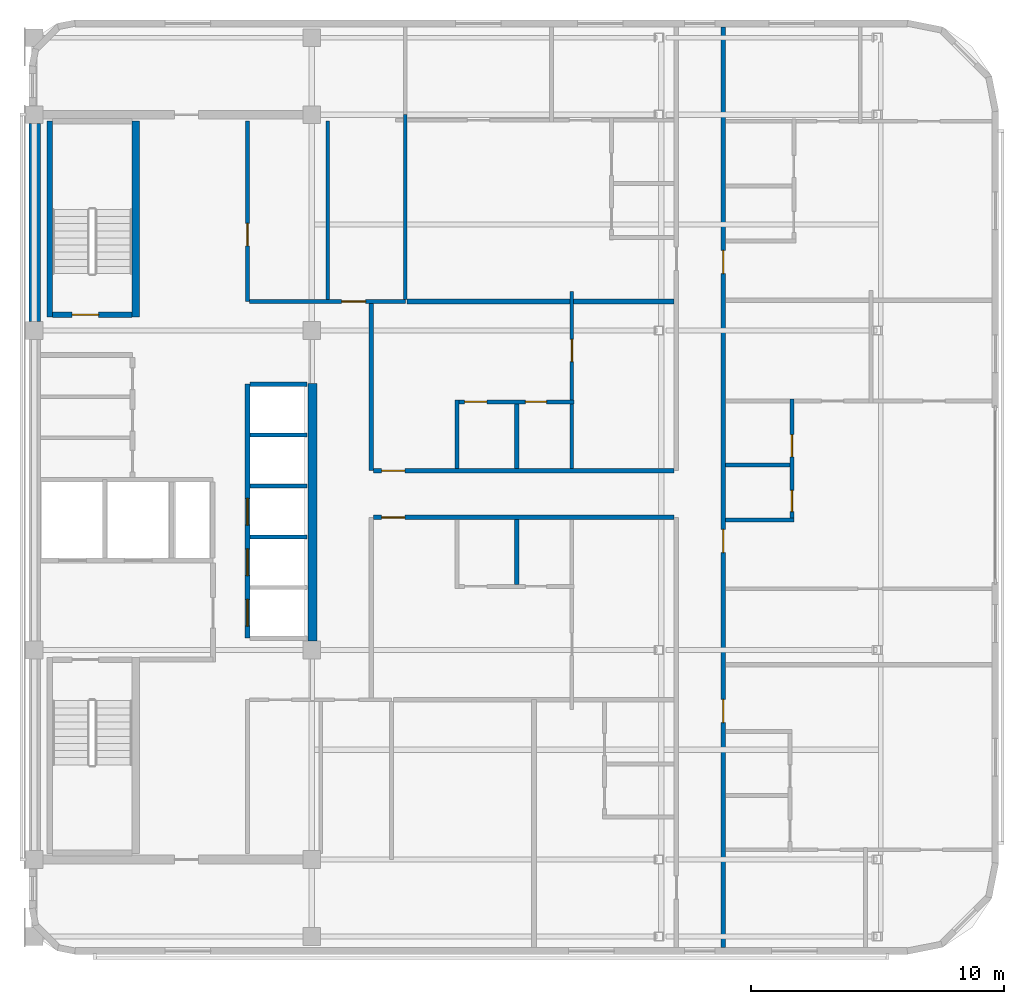
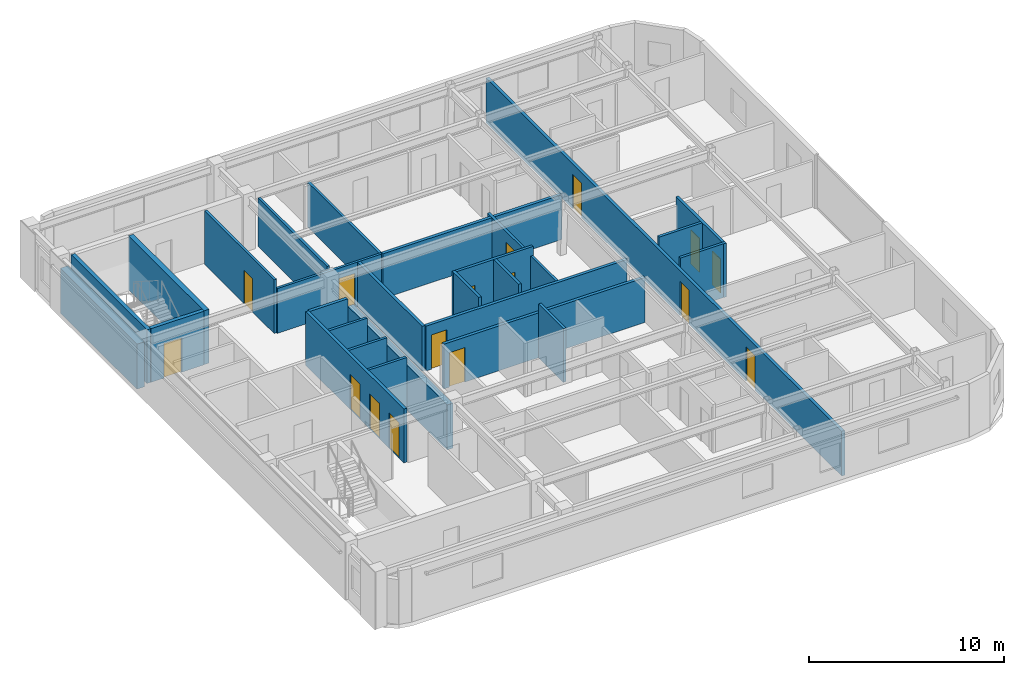
# One storey, part 5 of 10: 27 walls, 16 doors, 16 openings.
"""IFC4 building model written with IfcOpenShell, lengths in metres."""

from ifc_helpers import new_model, si_unit, direction, frame, frame_2d, origin, place, context, subcontext, project, spatial, rectangle, extrude, material, layer, layer_set, type_object, element, fill, save


model = new_model("IFC4")

# Units and contexts
model_context = context("Model", 3, precision=1e-05, world=origin(), true_north=direction((0.0, 1.0)))
body_context = subcontext(model_context, "Body", "Model", "MODEL_VIEW")
ifc_project = project(units=[si_unit("LENGTHUNIT", "METRE"), si_unit("AREAUNIT", "SQUARE_METRE"), si_unit("VOLUMEUNIT", "CUBIC_METRE"), si_unit("PLANEANGLEUNIT", "RADIAN"), si_unit("MASSUNIT", "GRAM", prefix="KILO")], contexts=[model_context])

# Site, building, storey
site_placement = place(None, origin())
site = spatial("IfcSite", under=ifc_project, at=site_placement, CompositionType="ELEMENT")
building_placement = place(site_placement, origin())
building = spatial("IfcBuilding", under=site, at=building_placement, Name="Ochreholt Gables", CompositionType="ELEMENT")
storey_placement = place(building_placement, frame((0.0, 0.0, 256.800048828125)))
storey = spatial("IfcBuildingStorey", under=building, at=storey_placement, Name="L67", CompositionType="ELEMENT", Elevation=256.800048828125)

# Walls
ifc_material_1 = material(Name="Concrete 50 MPa", Category="concrete")
ifc_layer_1 = layer(ifc_material_1, 0.35009765625, Name="Concrete 50 MPa")
ifc_layer_set_1 = layer_set([ifc_layer_1], Name="Concrete 50 MPa")
wall_type_1 = type_object("IfcWallType", Name="WALL-CSW-350", PredefinedType="SHEAR", material=ifc_layer_set_1)
wall_1_placement = place(storey_placement, frame((35.22509765625, 17.89990234375, 0.0), z_axis=(0.0, 0.0, 1.0), x_axis=(0.0, 1.0, 0.0)))
element("IfcWall", 1, at=wall_1_placement, inside=storey, type_object=wall_type_1, Name="L67 Core Central-East Shear Wall", PredefinedType="SHEAR", context=body_context, shape_type="SweptSolid", body=[
    extrude(rectangle(XDim=10.2001953125, YDim=0.35009765625, at=frame_2d((5.10009765625, 0.0))), origin(), (0.0, 0.0, 1.0), 2.821044921875),
])
ifc_layer_2 = layer(ifc_material_1, 0.449951171875, Name="Concrete 50 MPa")
ifc_layer_set_2 = layer_set([ifc_layer_2], Name="Concrete 50 MPa")
wall_type_2 = type_object("IfcWallType", Name="WALL-CSW-EXT", PredefinedType="SHEAR", material=ifc_layer_set_2)
wall_2_placement = place(storey_placement, frame((24.22509765625, 30.550048828125, 0.0), z_axis=(0.0, 0.0, 1.0), x_axis=(0.0, 1.0, 0.0)))
element("IfcWall", 2, at=wall_2_placement, inside=storey, type_object=wall_type_2, Name="L67 Core West Shear Wall WN", PredefinedType="SHEAR", context=body_context, shape_type="SweptSolid", body=[
    extrude(rectangle(XDim=7.849853515625, YDim=0.449951171875, at=frame_2d((3.9248046875, 0.0))), origin(), (0.0, 0.0, 1.0), 2.821044921875),
])
ifc_material_2 = material(Name="Fire-Rated Gypsum Acoustic Partition", Category="gypsum")
ifc_layer_3 = layer(ifc_material_2, 0.179931640625, Name="Fire-Rated Gypsum Acoustic Partition")
ifc_layer_set_3 = layer_set([ifc_layer_3], Name="Fire-Rated Gypsum Acoustic Partition")
wall_type_3 = type_object("IfcWallType", Name="WALL-INT-CR180", PredefinedType="STANDARD", material=ifc_layer_set_3)
wall_3_placement = place(storey_placement, frame((37.550048828125, 24.64990234375, 0.0), z_axis=(0.0, 0.0, 1.0), x_axis=(0.0, 1.0, 0.0)))
element("IfcWall", 3, at=wall_3_placement, inside=storey, type_object=wall_type_3, Name="L67 Interior Wall WI-C3CE2-L67", PredefinedType="STANDARD", context=body_context, shape_type="SweptSolid", body=[
    extrude(rectangle(XDim=6.627685546875, YDim=0.179931640625, at=frame_2d((3.31396484375, 0.0))), origin(), (0.0, 0.0, 1.0), 2.802978515625),
])

# Wall, opening, door
wall_4_placement = place(storey_placement, frame((37.639892578125, 22.800048828125, 0.0), z_axis=(0.0, 0.0, 1.0), x_axis=(1.0, 0.0, 0.0)))
wall_4 = element("IfcWall", 4, at=wall_4_placement, inside=storey, type_object=wall_type_3, Name="L67 Interior Wall WI-C3BRS1-L67", PredefinedType="STANDARD", context=body_context, shape_type="SweptSolid", body=[
    extrude(rectangle(XDim=11.9072265625, YDim=0.179931640625, at=frame_2d((5.95361328125, 0.0))), origin(), (0.0, 0.0, 1.0), 2.802978515625),
])
opening_1_placement = place(wall_4_placement, frame((0.320068359375, 0.0, 0.0)))
opening_1 = element("IfcOpeningElement", 5, at=opening_1_placement, cuts=wall_4, Name="Opening D-UN1", PredefinedType="OPENING", context=body_context, shape_type="SweptSolid", body=[
    extrude(rectangle(XDim=0.919921875, YDim=2.14990234375, at=frame_2d((0.4599609375, 1.074951171875))), frame((0.0, 0.099853515625, 0.0), z_axis=(0.0, -1.0, 0.0), x_axis=(1.0, 0.0, 0.0)), (0.0, 0.0, 1.0), 0.199951171875),
])
ifc_material_3 = material(Name="Engineered Oak Timber", Category="wood")
door_type_1 = type_object("IfcDoorType", Name="DR-INT-UNT920", OperationType="NOTDEFINED", PredefinedType="DOOR", material=ifc_material_3)
door_1_placement = place(opening_1_placement, origin())
door_1 = element("IfcDoor", 6, at=door_1_placement, inside=storey, type_object=door_type_1, Name="L67 Door D-U-L67SM2-ENT", OperationType="SINGLE_SWING_LEFT", OverallHeight=2.14990234375, OverallWidth=0.919921875, PredefinedType="DOOR", context=body_context, shape_type="SweptSolid", body=[
    extrude(rectangle(XDim=0.919921875, YDim=2.14990234375, at=frame_2d((0.4599609375, 1.074951171875))), frame((0.0, 0.02490234375, 0.0), z_axis=(0.0, -1.0, 0.0), x_axis=(1.0, 0.0, 0.0)), (0.0, 0.0, 1.0), 0.050048828125),
])
fill(opening_1, door_1)

wall_5_placement = place(storey_placement, frame((37.639892578125, 24.64990234375, 0.0), z_axis=(0.0, 0.0, 1.0), x_axis=(1.0, 0.0, 0.0)))
wall_5 = element("IfcWall", 7, at=wall_5_placement, inside=storey, type_object=wall_type_3, Name="L67 Interior Wall WI-C3BRN1-L67", PredefinedType="STANDARD", context=body_context, shape_type="SweptSolid", body=[
    extrude(rectangle(XDim=11.9072265625, YDim=0.179931640625, at=frame_2d((5.95361328125, 0.0))), origin(), (0.0, 0.0, 1.0), 2.802978515625),
])
opening_2_placement = place(wall_5_placement, frame((0.320068359375, 0.0, 0.0)))
opening_2 = element("IfcOpeningElement", 8, at=opening_2_placement, cuts=wall_5, Name="Opening D-UN1", PredefinedType="OPENING", context=body_context, shape_type="SweptSolid", body=[
    extrude(rectangle(XDim=0.919921875, YDim=2.14990234375, at=frame_2d((0.4599609375, 1.074951171875))), frame((0.0, 0.099853515625, 0.0), z_axis=(0.0, -1.0, 0.0), x_axis=(1.0, 0.0, 0.0)), (0.0, 0.0, 1.0), 0.199951171875),
])
door_2_placement = place(opening_2_placement, origin())
door_2 = element("IfcDoor", 9, at=door_2_placement, inside=storey, type_object=door_type_1, Name="L67 Door D-U-L67NM1-ENT", OperationType="SINGLE_SWING_LEFT", OverallHeight=2.14990234375, OverallWidth=0.919921875, PredefinedType="DOOR", context=body_context, shape_type="SweptSolid", body=[
    extrude(rectangle(XDim=0.919921875, YDim=2.14990234375, at=frame_2d((0.4599609375, 1.074951171875))), frame((0.0, 0.02490234375, 0.0), z_axis=(0.0, -1.0, 0.0), x_axis=(1.0, 0.0, 0.0)), (0.0, 0.0, 1.0), 0.050048828125),
])
fill(opening_2, door_2)

# Wall, openings, doors
wall_6_placement = place(storey_placement, frame((51.487060546875, 5.77001953125, 0.0), z_axis=(0.0, 0.0, 1.0), x_axis=(0.0, 1.0, 0.0)))
wall_6 = element("IfcWall", 10, at=wall_6_placement, inside=storey, type_object=wall_type_3, Name="L67 Interior Wall WI-C3GE-L67", PredefinedType="STANDARD", context=body_context, shape_type="SweptSolid", body=[
    extrude(rectangle(XDim=36.4599609375, YDim=0.179931640625, at=frame_2d((18.22998046875, 0.0))), origin(), (0.0, 0.0, 1.0), 2.802978515625),
])
opening_3_placement = place(wall_6_placement, frame((8.907470703125, 0.0, 0.0)))
opening_3 = element("IfcOpeningElement", 11, at=opening_3_placement, cuts=wall_6, Name="Opening D-UN1", PredefinedType="OPENING", context=body_context, shape_type="SweptSolid", body=[
    extrude(rectangle(XDim=0.919921875, YDim=2.14990234375, at=frame_2d((0.4599609375, 1.074951171875))), frame((0.0, 0.099853515625, 0.0), z_axis=(0.0, -1.0, 0.0), x_axis=(1.0, 0.0, 0.0)), (0.0, 0.0, 1.0), 0.199951171875),
])
opening_4_placement = place(wall_6_placement, frame((15.633056640625, 0.0, 0.0)))
opening_4 = element("IfcOpeningElement", 12, at=opening_4_placement, cuts=wall_6, Name="Opening D-UN1", PredefinedType="OPENING", context=body_context, shape_type="SweptSolid", body=[
    extrude(rectangle(XDim=0.919921875, YDim=2.14990234375, at=frame_2d((0.4599609375, 1.074951171875))), frame((0.0, 0.099853515625, 0.0), z_axis=(0.0, -1.0, 0.0), x_axis=(1.0, 0.0, 0.0)), (0.0, 0.0, 1.0), 0.199951171875),
])
opening_5_placement = place(wall_6_placement, frame((26.68505859375, 0.0, 0.0)))
opening_5 = element("IfcOpeningElement", 13, at=opening_5_placement, cuts=wall_6, Name="Opening D-UN1", PredefinedType="OPENING", context=body_context, shape_type="SweptSolid", body=[
    extrude(rectangle(XDim=0.919921875, YDim=2.14990234375, at=frame_2d((0.4599609375, 1.074951171875))), frame((0.0, 0.099853515625, 0.0), z_axis=(0.0, -1.0, 0.0), x_axis=(1.0, 0.0, 0.0)), (0.0, 0.0, 1.0), 0.199951171875),
])
door_3_placement = place(opening_3_placement, origin())
door_3 = element("IfcDoor", 14, at=door_3_placement, inside=storey, type_object=door_type_1, Name="L67 Door D-U-L67E1-ENT", OperationType="SINGLE_SWING_RIGHT", OverallHeight=2.14990234375, OverallWidth=0.919921875, PredefinedType="DOOR", context=body_context, shape_type="SweptSolid", body=[
    extrude(rectangle(XDim=0.919921875, YDim=2.14990234375, at=frame_2d((0.4599609375, 1.074951171875))), frame((0.0, 0.02490234375, 0.0), z_axis=(0.0, -1.0, 0.0), x_axis=(1.0, 0.0, 0.0)), (0.0, 0.0, 1.0), 0.050048828125),
])
fill(opening_3, door_3)
door_4_placement = place(opening_4_placement, origin())
door_4 = element("IfcDoor", 15, at=door_4_placement, inside=storey, type_object=door_type_1, Name="L67 Door D-U-L67E2-ENT", OperationType="SINGLE_SWING_LEFT", OverallHeight=2.14990234375, OverallWidth=0.919921875, PredefinedType="DOOR", context=body_context, shape_type="SweptSolid", body=[
    extrude(rectangle(XDim=0.919921875, YDim=2.14990234375, at=frame_2d((0.4599609375, 1.074951171875))), frame((0.0, 0.02490234375, 0.0), z_axis=(0.0, -1.0, 0.0), x_axis=(1.0, 0.0, 0.0)), (0.0, 0.0, 1.0), 0.050048828125),
])
fill(opening_4, door_4)
door_5_placement = place(opening_5_placement, origin())
door_5 = element("IfcDoor", 16, at=door_5_placement, inside=storey, type_object=door_type_1, Name="L67 Door D-U-L67E3-ENT", OperationType="SINGLE_SWING_RIGHT", OverallHeight=2.14990234375, OverallWidth=0.919921875, PredefinedType="DOOR", context=body_context, shape_type="SweptSolid", body=[
    extrude(rectangle(XDim=0.919921875, YDim=2.14990234375, at=frame_2d((0.4599609375, 1.074951171875))), frame((0.0, 0.02490234375, 0.0), z_axis=(0.0, -1.0, 0.0), x_axis=(1.0, 0.0, 0.0)), (0.0, 0.0, 1.0), 0.050048828125),
])
fill(opening_5, door_5)

# Walls
ifc_material_4 = material(Name="Double-Stud Acoustic Demising Wall", Category="gypsum")
ifc_layer_4 = layer(ifc_material_4, 0.18505859375, Name="Double-Stud Acoustic Demising Wall")
ifc_layer_set_4 = layer_set([ifc_layer_4], Name="Double-Stud Acoustic Demising Wall")
wall_type_4 = type_object("IfcWallType", Name="WALL-INT-DM185", PredefinedType="PARTITIONING", material=ifc_layer_set_4)
wall_7_placement = place(storey_placement, frame((38.972412109375, 31.35009765625, 0.0), z_axis=(0.0, 0.0, 1.0), x_axis=(1.0, 0.0, 0.0)))
element("IfcWall", 17, at=wall_7_placement, inside=storey, type_object=wall_type_4, Name="L67 Interior Wall WI-C3NMY-L67", PredefinedType="PARTITIONING", context=body_context, shape_type="SweptSolid", body=[
    extrude(rectangle(XDim=10.57470703125, YDim=0.18505859375, at=frame_2d((5.287353515625, 0.0))), origin(), (0.0, 0.0, 1.0), 2.802978515625),
])
ifc_material_5 = material(Name="Moisture-Resistant Plumbing Chase Wall", Category="gypsum")
ifc_layer_5 = layer(ifc_material_5, 0.159912109375, Name="Moisture-Resistant Plumbing Chase Wall")
ifc_layer_set_5 = layer_set([ifc_layer_5], Name="Moisture-Resistant Plumbing Chase Wall")
wall_type_5 = type_object("IfcWallType", Name="WALL-INT-PL160", PredefinedType="PLUMBINGWALL", material=ifc_layer_set_5)
wall_8_placement = place(storey_placement, frame((51.576904296875, 22.702880859375, 0.0), z_axis=(0.0, 0.0, 1.0), x_axis=(1.0, 0.0, 0.0)))
element("IfcWall", 18, at=wall_8_placement, inside=storey, type_object=wall_type_5, Name="L67 Interior Wall WU-L67E2-FYS", PredefinedType="PLUMBINGWALL", context=body_context, shape_type="SweptSolid", body=[
    extrude(rectangle(XDim=2.712158203125, YDim=0.159912109375, at=frame_2d((1.35595703125, 0.0))), origin(), (0.0, 0.0, 1.0), 3.35986328125),
])

# Wall, openings, doors
wall_9_placement = place(storey_placement, frame((54.208984375, 22.613037109375, 0.0), z_axis=(0.0, 0.0, 1.0), x_axis=(0.0, 1.0, 0.0)))
wall_9 = element("IfcWall", 19, at=wall_9_placement, inside=storey, type_object=wall_type_5, Name="L67 Interior Wall WU-L67E2-WX", PredefinedType="PLUMBINGWALL", context=body_context, shape_type="SweptSolid", body=[
    extrude(rectangle(XDim=4.886962890625, YDim=0.159912109375, at=frame_2d((2.443359375, 0.0))), origin(), (0.0, 0.0, 1.0), 3.35986328125),
])
opening_6_placement = place(wall_9_placement, frame((0.419921875, 0.0, 0.0)))
opening_6 = element("IfcOpeningElement", 20, at=opening_6_placement, cuts=wall_9, Name="Opening D-BT2", PredefinedType="OPENING", context=body_context, shape_type="SweptSolid", body=[
    extrude(rectangle(XDim=0.840087890625, YDim=2.1201171875, at=frame_2d((0.419921875, 1.06005859375))), frame((0.0, 0.08984375, 0.0), z_axis=(0.0, -1.0, 0.0), x_axis=(1.0, 0.0, 0.0)), (0.0, 0.0, 1.0), 0.179931640625),
])
opening_7_placement = place(wall_9_placement, frame((2.585205078125, 0.0, 0.0)))
opening_7 = element("IfcOpeningElement", 21, at=opening_7_placement, cuts=wall_9, Name="Opening D-GN2", PredefinedType="OPENING", context=body_context, shape_type="SweptSolid", body=[
    extrude(rectangle(XDim=0.8798828125, YDim=2.1201171875, at=frame_2d((0.43994140625, 1.06005859375))), frame((0.0, 0.08984375, 0.0), z_axis=(0.0, -1.0, 0.0), x_axis=(1.0, 0.0, 0.0)), (0.0, 0.0, 1.0), 0.179931640625),
])
door_type_2 = type_object("IfcDoorType", Name="DR-INT-BTH840", OperationType="NOTDEFINED", PredefinedType="DOOR", material=ifc_material_3)
door_6_placement = place(opening_6_placement, origin())
door_6 = element("IfcDoor", 22, at=door_6_placement, inside=storey, type_object=door_type_2, Name="L67 Door D-U-L67E2-BTH", OperationType="SINGLE_SWING_RIGHT", OverallHeight=2.1201171875, OverallWidth=0.840087890625, PredefinedType="DOOR", context=body_context, shape_type="SweptSolid", body=[
    extrude(rectangle(XDim=0.840087890625, YDim=2.1201171875, at=frame_2d((0.419921875, 1.06005859375))), frame((0.0, 0.02490234375, 0.0), z_axis=(0.0, -1.0, 0.0), x_axis=(1.0, 0.0, 0.0)), (0.0, 0.0, 1.0), 0.050048828125),
])
fill(opening_6, door_6)
door_type_3 = type_object("IfcDoorType", Name="DR-INT-GEN880", OperationType="NOTDEFINED", PredefinedType="DOOR", material=ifc_material_3)
door_7_placement = place(opening_7_placement, origin())
door_7 = element("IfcDoor", 23, at=door_7_placement, inside=storey, type_object=door_type_3, Name="L67 Door D-U-L67E2-KIT", OperationType="SINGLE_SWING_LEFT", OverallHeight=2.1201171875, OverallWidth=0.8798828125, PredefinedType="DOOR", context=body_context, shape_type="SweptSolid", body=[
    extrude(rectangle(XDim=0.8798828125, YDim=2.1201171875, at=frame_2d((0.43994140625, 1.06005859375))), frame((0.0, 0.02490234375, 0.0), z_axis=(0.0, -1.0, 0.0), x_axis=(1.0, 0.0, 0.0)), (0.0, 0.0, 1.0), 0.050048828125),
])
fill(opening_7, door_7)

# Walls
wall_10_placement = place(storey_placement, frame((51.576904296875, 24.8681640625, 0.0), z_axis=(0.0, 0.0, 1.0), x_axis=(1.0, 0.0, 0.0)))
element("IfcWall", 24, at=wall_10_placement, inside=storey, type_object=wall_type_5, Name="L67 Interior Wall WU-L67E2-WK", PredefinedType="PLUMBINGWALL", context=body_context, shape_type="SweptSolid", body=[
    extrude(rectangle(XDim=2.552001953125, YDim=0.159912109375, at=frame_2d((1.27587890625, 0.0))), origin(), (0.0, 0.0, 1.0), 3.35986328125),
])
wall_11_placement = place(storey_placement, frame((43.31298828125, 20.14990234375, 0.0), z_axis=(0.0, 0.0, 1.0), x_axis=(0.0, 1.0, 0.0)))
element("IfcWall", 25, at=wall_11_placement, inside=storey, type_object=wall_type_5, Name="L67 Interior Wall WU-L67SM2-WK", PredefinedType="PLUMBINGWALL", context=body_context, shape_type="SweptSolid", body=[
    extrude(rectangle(XDim=2.56005859375, YDim=0.159912109375, at=frame_2d((1.280029296875, 0.0))), origin(), (0.0, 0.0, 1.0), 3.35986328125),
])

# Wall, openings, doors
wall_12_placement = place(storey_placement, frame((40.866943359375, 27.3798828125, 0.0), z_axis=(0.0, 0.0, 1.0), x_axis=(1.0, 0.0, 0.0)))
wall_12 = element("IfcWall", 26, at=wall_12_placement, inside=storey, type_object=wall_type_5, Name="L67 Interior Wall WU-L67NM1-WY", PredefinedType="PLUMBINGWALL", context=body_context, shape_type="SweptSolid", body=[
    extrude(rectangle(XDim=4.7099609375, YDim=0.159912109375, at=frame_2d((2.35498046875, 0.0))), origin(), (0.0, 0.0, 1.0), 3.35986328125),
])
opening_8_placement = place(wall_12_placement, frame((0.3798828125, 0.0, 0.0)))
opening_8 = element("IfcOpeningElement", 27, at=opening_8_placement, cuts=wall_12, Name="Opening D-GN2", PredefinedType="OPENING", context=body_context, shape_type="SweptSolid", body=[
    extrude(rectangle(XDim=0.8798828125, YDim=2.1201171875, at=frame_2d((0.43994140625, 1.06005859375))), frame((0.0, 0.08984375, 0.0), z_axis=(0.0, -1.0, 0.0), x_axis=(1.0, 0.0, 0.0)), (0.0, 0.0, 1.0), 0.179931640625),
])
opening_9_placement = place(wall_12_placement, frame((2.785888671875, 0.0, 0.0)))
opening_9 = element("IfcOpeningElement", 28, at=opening_9_placement, cuts=wall_12, Name="Opening D-BT2", PredefinedType="OPENING", context=body_context, shape_type="SweptSolid", body=[
    extrude(rectangle(XDim=0.840087890625, YDim=2.1201171875, at=frame_2d((0.419921875, 1.06005859375))), frame((0.0, 0.08984375, 0.0), z_axis=(0.0, -1.0, 0.0), x_axis=(1.0, 0.0, 0.0)), (0.0, 0.0, 1.0), 0.179931640625),
])
door_8_placement = place(opening_9_placement, origin())
door_8 = element("IfcDoor", 29, at=door_8_placement, inside=storey, type_object=door_type_2, Name="L67 Door D-U-L67NM1-BTH", OperationType="SINGLE_SWING_LEFT", OverallHeight=2.1201171875, OverallWidth=0.840087890625, PredefinedType="DOOR", context=body_context, shape_type="SweptSolid", body=[
    extrude(rectangle(XDim=0.840087890625, YDim=2.1201171875, at=frame_2d((0.419921875, 1.06005859375))), frame((0.0, 0.02490234375, 0.0), z_axis=(0.0, -1.0, 0.0), x_axis=(1.0, 0.0, 0.0)), (0.0, 0.0, 1.0), 0.050048828125),
])
fill(opening_9, door_8)
door_9_placement = place(opening_8_placement, origin())
door_9 = element("IfcDoor", 30, at=door_9_placement, inside=storey, type_object=door_type_3, Name="L67 Door D-U-L67NM1-KIT", OperationType="SINGLE_SWING_RIGHT", OverallHeight=2.1201171875, OverallWidth=0.8798828125, PredefinedType="DOOR", context=body_context, shape_type="SweptSolid", body=[
    extrude(rectangle(XDim=0.8798828125, YDim=2.1201171875, at=frame_2d((0.43994140625, 1.06005859375))), frame((0.0, 0.02490234375, 0.0), z_axis=(0.0, -1.0, 0.0), x_axis=(1.0, 0.0, 0.0)), (0.0, 0.0, 1.0), 0.050048828125),
])
fill(opening_8, door_9)

# Walls
wall_13_placement = place(storey_placement, frame((40.947021484375, 24.739990234375, 0.0), z_axis=(0.0, 0.0, 1.0), x_axis=(0.0, 1.0, 0.0)))
element("IfcWall", 31, at=wall_13_placement, inside=storey, type_object=wall_type_5, Name="L67 Interior Wall WU-L67NM1-FY", PredefinedType="PLUMBINGWALL", context=body_context, shape_type="SweptSolid", body=[
    extrude(rectangle(XDim=2.719970703125, YDim=0.159912109375, at=frame_2d((1.35986328125, 0.0))), origin(), (0.0, 0.0, 1.0), 3.35986328125),
])
wall_14_placement = place(storey_placement, frame((43.31298828125, 24.739990234375, 0.0), z_axis=(0.0, 0.0, 1.0), x_axis=(0.0, 1.0, 0.0)))
element("IfcWall", 32, at=wall_14_placement, inside=storey, type_object=wall_type_5, Name="L67 Interior Wall WU-L67NM1-WK", PredefinedType="PLUMBINGWALL", context=body_context, shape_type="SweptSolid", body=[
    extrude(rectangle(XDim=2.56005859375, YDim=0.159912109375, at=frame_2d((1.280029296875, 0.0))), origin(), (0.0, 0.0, 1.0), 3.35986328125),
])

# Wall, opening, door
ifc_material_6 = material(Name="Lightweight Stud Partition", Category="gypsum")
ifc_layer_6 = layer(ifc_material_6, 0.14501953125, Name="Lightweight Stud Partition")
ifc_layer_set_6 = layer_set([ifc_layer_6], Name="Lightweight Stud Partition")
wall_type_6 = type_object("IfcWallType", Name="WALL-INT-PT145", PredefinedType="PARTITIONING", material=ifc_layer_set_6)
wall_15_placement = place(storey_placement, frame((32.64990234375, 31.35009765625, 0.0), z_axis=(0.0, 0.0, 1.0), x_axis=(0.0, 1.0, 0.0)))
wall_15 = element("IfcWall", 33, at=wall_15_placement, inside=storey, type_object=wall_type_6, Name="L67 Interior Wall WI-RCM-W-L67", PredefinedType="PARTITIONING", context=body_context, shape_type="SweptSolid", body=[
    extrude(rectangle(XDim=7.14990234375, YDim=0.14501953125, at=frame_2d((3.574951171875, 0.0))), origin(), (0.0, 0.0, 1.0), 3.35986328125),
])
opening_10_placement = place(wall_15_placement, frame((2.199951171875, 0.0, 0.0)))
opening_10 = element("IfcOpeningElement", 34, at=opening_10_placement, cuts=wall_15, Name="Opening D-SV1", PredefinedType="OPENING", context=body_context, shape_type="SweptSolid", body=[
    extrude(rectangle(XDim=0.89990234375, YDim=2.10009765625, at=frame_2d((0.449951171875, 1.050048828125))), frame((0.0, 0.08251953125, 0.0), z_axis=(0.0, -1.0, 0.0), x_axis=(1.0, 0.0, 0.0)), (0.0, 0.0, 1.0), 0.1650390625),
])
ifc_material_7 = material(Name="Hollow Metal Steel", Category="steel")
door_type_4 = type_object("IfcDoorType", Name="DR-INT-SRV900", OperationType="NOTDEFINED", PredefinedType="DOOR", material=ifc_material_7)
door_10_placement = place(opening_10_placement, origin())
door_10 = element("IfcDoor", 35, at=door_10_placement, inside=storey, type_object=door_type_4, Name="L67 Door D-RCM1-L67", OperationType="SINGLE_SWING_LEFT", OverallHeight=2.10009765625, OverallWidth=0.89990234375, PredefinedType="DOOR", context=body_context, shape_type="SweptSolid", body=[
    extrude(rectangle(XDim=0.89990234375, YDim=2.10009765625, at=frame_2d((0.449951171875, 1.050048828125))), frame((0.0, 0.02490234375, 0.0), z_axis=(0.0, -1.0, 0.0), x_axis=(1.0, 0.0, 0.0)), (0.0, 0.0, 1.0), 0.050048828125),
])
fill(opening_10, door_10)

wall_16_placement = place(storey_placement, frame((32.722412109375, 31.35009765625, 0.0), z_axis=(0.0, 0.0, 1.0), x_axis=(1.0, 0.0, 0.0)))
wall_16 = element("IfcWall", 36, at=wall_16_placement, inside=storey, type_object=wall_type_6, Name="L67 Interior Wall WI-RCM-S-L67", PredefinedType="PARTITIONING", context=body_context, shape_type="SweptSolid", body=[
    extrude(rectangle(XDim=6.177490234375, YDim=0.14501953125, at=frame_2d((3.0888671875, 0.0))), origin(), (0.0, 0.0, 1.0), 2.802978515625),
])
opening_11_placement = place(wall_16_placement, frame((3.652587890625, 0.0, 0.0)))
opening_11 = element("IfcOpeningElement", 37, at=opening_11_placement, cuts=wall_16, Name="Opening D-GN1", PredefinedType="OPENING", context=body_context, shape_type="SweptSolid", body=[
    extrude(rectangle(XDim=0.949951171875, YDim=2.14990234375, at=frame_2d((0.47509765625, 1.074951171875))), frame((0.0, 0.08251953125, 0.0), z_axis=(0.0, -1.0, 0.0), x_axis=(1.0, 0.0, 0.0)), (0.0, 0.0, 1.0), 0.1650390625),
])
door_type_5 = type_object("IfcDoorType", Name="DR-INT-GEN950", OperationType="NOTDEFINED", PredefinedType="DOOR", material=ifc_material_3)
door_11_placement = place(opening_11_placement, origin())
door_11 = element("IfcDoor", 38, at=door_11_placement, inside=storey, type_object=door_type_5, Name="L67 Door D-RCM2-L67", OperationType="SINGLE_SWING_RIGHT", OverallHeight=2.14990234375, OverallWidth=0.949951171875, PredefinedType="DOOR", context=body_context, shape_type="SweptSolid", body=[
    extrude(rectangle(XDim=0.949951171875, YDim=2.14990234375, at=frame_2d((0.47509765625, 1.074951171875))), frame((0.0, 0.02490234375, 0.0), z_axis=(0.0, -1.0, 0.0), x_axis=(1.0, 0.0, 0.0)), (0.0, 0.0, 1.0), 0.050048828125),
])
fill(opening_11, door_11)

# Walls
wall_17_placement = place(storey_placement, frame((38.89990234375, 31.422607421875, 0.0), z_axis=(0.0, 0.0, 1.0), x_axis=(0.0, 1.0, 0.0)))
element("IfcWall", 39, at=wall_17_placement, inside=storey, type_object=wall_type_6, Name="L67 Interior Wall WI-RCM-E-L67", PredefinedType="PARTITIONING", context=body_context, shape_type="SweptSolid", body=[
    extrude(rectangle(XDim=7.327392578125, YDim=0.14501953125, at=frame_2d((3.66357421875, 0.0))), origin(), (0.0, 0.0, 1.0), 2.802978515625),
])
wall_18_placement = place(storey_placement, frame((35.824951171875, 31.422607421875, 0.0), z_axis=(0.0, 0.0, 1.0), x_axis=(0.0, 1.0, 0.0)))
element("IfcWall", 40, at=wall_18_placement, inside=storey, type_object=wall_type_6, Name="L67 Interior Wall WI-RCM-DV-L67", PredefinedType="PARTITIONING", context=body_context, shape_type="SweptSolid", body=[
    extrude(rectangle(XDim=7.077392578125, YDim=0.14501953125, at=frame_2d((3.53857421875, 0.0))), origin(), (0.0, 0.0, 1.0), 3.0390625),
])

# Wall, opening, door
wall_19_placement = place(storey_placement, frame((45.4970703125, 24.739990234375, 0.0), z_axis=(0.0, 0.0, 1.0), x_axis=(0.0, 1.0, 0.0)))
wall_19 = element("IfcWall", 41, at=wall_19_placement, inside=storey, type_object=wall_type_6, Name="L67 Interior Wall WU-L67NM1-MNX", PredefinedType="PARTITIONING", context=body_context, shape_type="SweptSolid", body=[
    extrude(rectangle(XDim=7.0, YDim=0.14501953125, at=frame_2d((3.5, 0.0))), origin(), (0.0, 0.0, 1.0), 2.802978515625),
])
opening_12_placement = place(wall_19_placement, frame((4.22998046875, 0.0, 0.0)))
opening_12 = element("IfcOpeningElement", 42, at=opening_12_placement, cuts=wall_19, Name="Opening D-BD2", PredefinedType="OPENING", context=body_context, shape_type="SweptSolid", body=[
    extrude(rectangle(XDim=0.8798828125, YDim=2.139892578125, at=frame_2d((0.43994140625, 1.06982421875))), frame((0.0, 0.08251953125, 0.0), z_axis=(0.0, -1.0, 0.0), x_axis=(1.0, 0.0, 0.0)), (0.0, 0.0, 1.0), 0.1650390625),
])
door_type_6 = type_object("IfcDoorType", Name="DR-INT-BED880", OperationType="NOTDEFINED", PredefinedType="DOOR", material=ifc_material_3)
door_12_placement = place(opening_12_placement, origin())
door_12 = element("IfcDoor", 43, at=door_12_placement, inside=storey, type_object=door_type_6, Name="L67 Door D-U-L67NM1-BD1", OperationType="SINGLE_SWING_RIGHT", OverallHeight=2.139892578125, OverallWidth=0.8798828125, PredefinedType="DOOR", context=body_context, shape_type="SweptSolid", body=[
    extrude(rectangle(XDim=0.8798828125, YDim=2.139892578125, at=frame_2d((0.43994140625, 1.06982421875))), frame((0.0, 0.02490234375, 0.0), z_axis=(0.0, -1.0, 0.0), x_axis=(1.0, 0.0, 0.0)), (0.0, 0.0, 1.0), 0.050048828125),
])
fill(opening_12, door_12)

# Walls
ifc_material_8 = material(Name="Gypsum Shaftliner and Steel Stud", Category="steel")
ifc_layer_7 = layer(ifc_material_8, 0.14990234375, Name="Gypsum Shaftliner and Steel Stud")
ifc_layer_set_7 = layer_set([ifc_layer_7], Name="Gypsum Shaftliner and Steel Stud")
wall_type_7 = type_object("IfcWallType", Name="WALL-INT-SH150", PredefinedType="STANDARD", material=ifc_layer_set_7)
for number, where, z_axis, x_axis, name in (
    (44, (32.739990234375, 22.02001953125, 0.0), (0.0, 0.0, 1.0), (1.0, 0.0, 0.0), "L67 Interior Wall WI-LFHE-DH2-L67"),
    (45, (32.739990234375, 24.050048828125, 0.0), (0.0, 0.0, 1.0), (1.0, 0.0, 0.0), "L67 Interior Wall WI-LFHE-DHE-L67"),
    (46, (32.739990234375, 26.070068359375, 0.0), (0.0, 0.0, 1.0), (1.0, 0.0, 0.0), "L67 Interior Wall WI-LFHE-DEX1-L67"),
):
    element("IfcWall", number, at=place(storey_placement, frame(where, z_axis=z_axis, x_axis=x_axis)), inside=storey, type_object=wall_type_7, Name=name, PredefinedType="STANDARD", context=body_context, shape_type="SweptSolid", body=[
        extrude(rectangle(XDim=2.260009765625, YDim=0.14990234375, at=frame_2d((1.1298828125, 0.0))), origin(), (0.0, 0.0, 1.0), 3.35986328125),
    ])

# Wall, openings, doors
ifc_layer_8 = layer(ifc_material_8, 0.179931640625, Name="Gypsum Shaftliner and Steel Stud")
ifc_layer_set_8 = layer_set([ifc_layer_8], Name="Gypsum Shaftliner and Steel Stud")
wall_type_8 = type_object("IfcWallType", Name="WALL-INT-SH180", PredefinedType="STANDARD", material=ifc_layer_set_8)
wall_20_placement = place(storey_placement, frame((32.64990234375, 18.02001953125, 0.0), z_axis=(0.0, 0.0, 1.0), x_axis=(0.0, 1.0, 0.0)))
wall_20 = element("IfcWall", 47, at=wall_20_placement, inside=storey, type_object=wall_type_8, Name="L67 Interior Wall WI-LFHE-FR-L67", PredefinedType="STANDARD", context=body_context, shape_type="SweptSolid", body=[
    extrude(rectangle(XDim=10.06005859375, YDim=0.179931640625, at=frame_2d((5.030029296875, 0.0))), origin(), (0.0, 0.0, 1.0), 3.35986328125),
])
opening_13_placement = place(wall_20_placement, frame((0.47998046875, 0.0, 0.0)))
opening_13 = element("IfcOpeningElement", 48, at=opening_13_placement, cuts=wall_20, Name="Opening LD-PX", PredefinedType="OPENING", context=body_context, shape_type="SweptSolid", body=[
    extrude(rectangle(XDim=1.050048828125, YDim=2.199951171875, at=frame_2d((0.52490234375, 1.10009765625))), frame((0.0, 0.099853515625, 0.0), z_axis=(0.0, -1.0, 0.0), x_axis=(1.0, 0.0, 0.0)), (0.0, 0.0, 1.0), 0.199951171875),
])
opening_14_placement = place(wall_20_placement, frame((2.47998046875, 0.0, 0.0)))
opening_14 = element("IfcOpeningElement", 49, at=opening_14_placement, cuts=wall_20, Name="Opening LD-PX", PredefinedType="OPENING", context=body_context, shape_type="SweptSolid", body=[
    extrude(rectangle(XDim=1.050048828125, YDim=2.199951171875, at=frame_2d((0.52490234375, 1.10009765625))), frame((0.0, 0.099853515625, 0.0), z_axis=(0.0, -1.0, 0.0), x_axis=(1.0, 0.0, 0.0)), (0.0, 0.0, 1.0), 0.199951171875),
])
opening_15_placement = place(wall_20_placement, frame((4.47998046875, 0.0, 0.0)))
opening_15 = element("IfcOpeningElement", 50, at=opening_15_placement, cuts=wall_20, Name="Opening LD-PX", PredefinedType="OPENING", context=body_context, shape_type="SweptSolid", body=[
    extrude(rectangle(XDim=1.050048828125, YDim=2.199951171875, at=frame_2d((0.52490234375, 1.10009765625))), frame((0.0, 0.099853515625, 0.0), z_axis=(0.0, -1.0, 0.0), x_axis=(1.0, 0.0, 0.0)), (0.0, 0.0, 1.0), 0.199951171875),
])
ifc_material_9 = material(Name="Stainless Steel", Category="steel")
door_type_7 = type_object("IfcDoorType", Name="DR-LFT-PX1050", OperationType="NOTDEFINED", PredefinedType="DOOR", material=ifc_material_9)
door_13_placement = place(opening_13_placement, origin())
door_13 = element("IfcDoor", 51, at=door_13_placement, inside=storey, type_object=door_type_7, Name="L67 Door LD-LF-H1-L67", OperationType="SLIDING_TO_LEFT", OverallHeight=2.199951171875, OverallWidth=1.050048828125, PredefinedType="DOOR", context=body_context, shape_type="SweptSolid", body=[
    extrude(rectangle(XDim=1.050048828125, YDim=2.199951171875, at=frame_2d((0.52490234375, 1.10009765625))), frame((0.0, 0.02490234375, 0.0), z_axis=(0.0, -1.0, 0.0), x_axis=(1.0, 0.0, 0.0)), (0.0, 0.0, 1.0), 0.050048828125),
])
fill(opening_13, door_13)
door_14_placement = place(opening_14_placement, origin())
door_14 = element("IfcDoor", 52, at=door_14_placement, inside=storey, type_object=door_type_7, Name="L67 Door LD-LF-H2-L67", OperationType="SLIDING_TO_LEFT", OverallHeight=2.199951171875, OverallWidth=1.050048828125, PredefinedType="DOOR", context=body_context, shape_type="SweptSolid", body=[
    extrude(rectangle(XDim=1.050048828125, YDim=2.199951171875, at=frame_2d((0.52490234375, 1.10009765625))), frame((0.0, 0.02490234375, 0.0), z_axis=(0.0, -1.0, 0.0), x_axis=(1.0, 0.0, 0.0)), (0.0, 0.0, 1.0), 0.050048828125),
])
fill(opening_14, door_14)
door_15_placement = place(opening_15_placement, origin())
door_15 = element("IfcDoor", 53, at=door_15_placement, inside=storey, type_object=door_type_7, Name="L67 Door LD-LF-H3-L67", OperationType="SLIDING_TO_LEFT", OverallHeight=2.199951171875, OverallWidth=1.050048828125, PredefinedType="DOOR", context=body_context, shape_type="SweptSolid", body=[
    extrude(rectangle(XDim=1.050048828125, YDim=2.199951171875, at=frame_2d((0.52490234375, 1.10009765625))), frame((0.0, 0.02490234375, 0.0), z_axis=(0.0, -1.0, 0.0), x_axis=(1.0, 0.0, 0.0)), (0.0, 0.0, 1.0), 0.050048828125),
])
fill(opening_15, door_15)

# Walls
wall_21_placement = place(storey_placement, frame((32.739990234375, 28.080078125, 0.0), z_axis=(0.0, 0.0, 1.0), x_axis=(1.0, 0.0, 0.0)))
element("IfcWall", 54, at=wall_21_placement, inside=storey, type_object=wall_type_8, Name="L67 Interior Wall WI-LFHE-N-L67", PredefinedType="STANDARD", context=body_context, shape_type="SweptSolid", body=[
    extrude(rectangle(XDim=2.260009765625, YDim=0.179931640625, at=frame_2d((1.1298828125, 0.0))), origin(), (0.0, 0.0, 1.0), 3.35986328125),
])
ifc_material_10 = material(Name="Concrete 60 MPa", Category="concrete")
ifc_layer_9 = layer(ifc_material_10, 0.300048828125, Name="Concrete 60 MPa")
ifc_layer_set_9 = layer_set([ifc_layer_9], Name="Concrete 60 MPa")
wall_type_9 = type_object("IfcWallType", Name="WALL-SPN-300", PredefinedType="SHEAR", material=ifc_layer_set_9)
wall_22_placement = place(storey_placement, frame((28.22998046875, 30.739990234375, 0.0), z_axis=(0.0, 0.0, 1.0), x_axis=(0.0, 1.0, 0.0)))
element("IfcWall", 55, at=wall_22_placement, inside=storey, type_object=wall_type_9, Name="L67 Core North Spine Shear Wall", PredefinedType="SHEAR", context=body_context, shape_type="SweptSolid", body=[
    extrude(rectangle(XDim=7.760009765625, YDim=0.300048828125, at=frame_2d((3.8798828125, 0.0))), origin(), (0.0, 0.0, 1.0), 3.35986328125),
])
ifc_layer_10 = layer(ifc_material_1, 0.219970703125, Name="Concrete 50 MPa")
ifc_layer_set_10 = layer_set([ifc_layer_10], Name="Concrete 50 MPa")
wall_type_10 = type_object("IfcWallType", Name="WALL-STW-220", PredefinedType="SHEAR", material=ifc_layer_set_10)
wall_23_placement = place(storey_placement, frame((24.81005859375, 30.739990234375, 0.0), z_axis=(0.0, 0.0, 1.0), x_axis=(0.0, 1.0, 0.0)))
element("IfcWall", 56, at=wall_23_placement, inside=storey, type_object=wall_type_10, Name="L67 Exit Stair 2 West Wall", PredefinedType="SHEAR", context=body_context, shape_type="SweptSolid", body=[
    extrude(rectangle(XDim=7.760009765625, YDim=0.219970703125, at=frame_2d((3.8798828125, 0.0))), origin(), (0.0, 0.0, 1.0), 3.35986328125),
])

# Wall, opening, door
wall_24_placement = place(storey_placement, frame((24.919921875, 30.830078125, 0.0), z_axis=(0.0, 0.0, 1.0), x_axis=(1.0, 0.0, 0.0)))
wall_24 = element("IfcWall", 57, at=wall_24_placement, inside=storey, type_object=wall_type_10, Name="L67 Exit Stair 2 South Wall", PredefinedType="SHEAR", context=body_context, shape_type="SweptSolid", body=[
    extrude(rectangle(XDim=3.16015625, YDim=0.219970703125, at=frame_2d((1.580078125, 0.0))), origin(), (0.0, 0.0, 1.0), 3.35986328125),
])
opening_16_placement = place(wall_24_placement, frame((0.780029296875, 0.0, 0.0)))
opening_16 = element("IfcOpeningElement", 58, at=opening_16_placement, cuts=wall_24, Name="Opening D-STC", PredefinedType="OPENING", context=body_context, shape_type="SweptSolid", body=[
    extrude(rectangle(XDim=1.050048828125, YDim=2.14990234375, at=frame_2d((0.52490234375, 1.074951171875))), frame((0.0, 0.119873046875, 0.0), z_axis=(0.0, -1.0, 0.0), x_axis=(1.0, 0.0, 0.0)), (0.0, 0.0, 1.0), 0.239990234375),
])
door_type_8 = type_object("IfcDoorType", Name="DR-INT-ST1050", OperationType="NOTDEFINED", PredefinedType="DOOR", material=ifc_material_7)
door_16_placement = place(opening_16_placement, origin())
door_16 = element("IfcDoor", 59, at=door_16_placement, inside=storey, type_object=door_type_8, Name="L67 Door D-ST2-L67", OperationType="SINGLE_SWING_RIGHT", OverallHeight=2.14990234375, OverallWidth=1.050048828125, PredefinedType="DOOR", context=body_context, shape_type="SweptSolid", body=[
    extrude(rectangle(XDim=1.050048828125, YDim=2.14990234375, at=frame_2d((0.52490234375, 1.074951171875))), frame((0.0, 0.02490234375, 0.0), z_axis=(0.0, -1.0, 0.0), x_axis=(1.0, 0.0, 0.0)), (0.0, 0.0, 1.0), 0.050048828125),
])
fill(opening_16, door_16)

save(model, "model.ifc")
